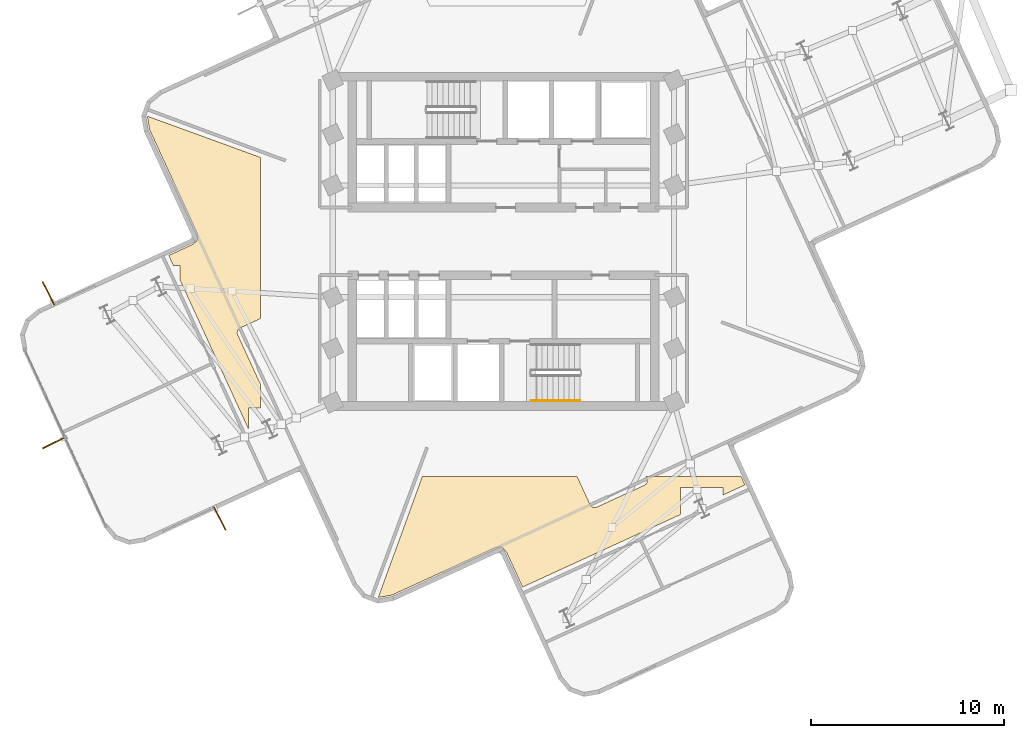
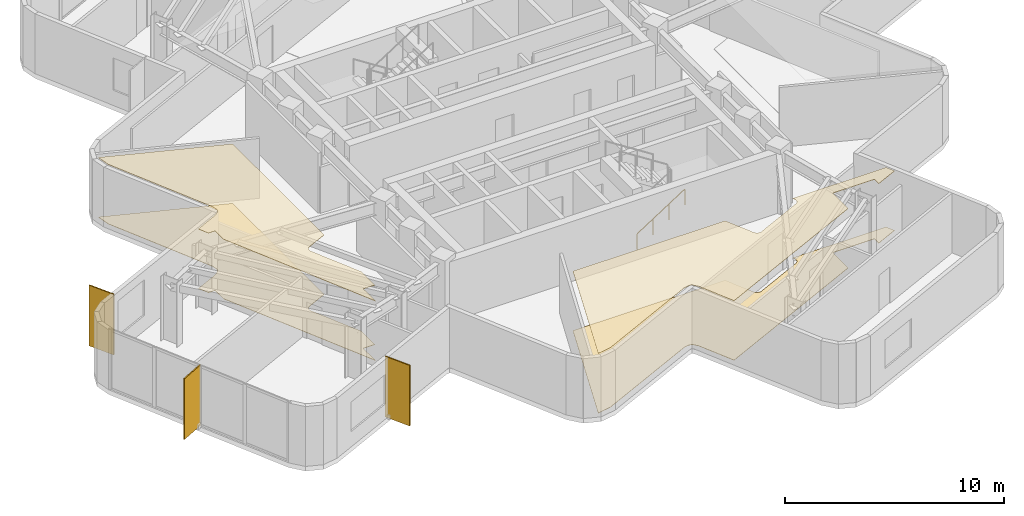
# One storey, part 9 of 11: 4 coverings, 3 shading devices, 1 railing.
"""IFC4 building model written with IfcOpenShell, lengths in metres."""

from ifc_helpers import new_model, si_unit, direction, frame, origin, origin_2d, place, context, subcontext, project, spatial, polyline, rectangle, circle, outline, extrude, material, layer, layer_set, type_object, element, save


model = new_model("IFC4")

# Units and contexts
model_context = context("Model", 3, precision=1e-05, world=origin(), true_north=direction((0.0, 1.0)))
body_context = subcontext(model_context, "Body", "Model", "MODEL_VIEW")
ifc_project = project(units=[si_unit("LENGTHUNIT", "METRE"), si_unit("AREAUNIT", "SQUARE_METRE"), si_unit("VOLUMEUNIT", "CUBIC_METRE"), si_unit("PLANEANGLEUNIT", "RADIAN"), si_unit("MASSUNIT", "GRAM", prefix="KILO")], contexts=[model_context])

# Site, building, storey
site_placement = place(None, origin())
site = spatial("IfcSite", under=ifc_project, at=site_placement, CompositionType="ELEMENT")
building_placement = place(site_placement, origin())
building = spatial("IfcBuilding", under=site, at=building_placement, Name="Solmarez Civic Tower", CompositionType="ELEMENT")
storey_placement = place(building_placement, frame((0.0, 0.0, 184.679931640625)))
storey = spatial("IfcBuildingStorey", under=building, at=storey_placement, Name="L49", CompositionType="ELEMENT", Elevation=184.679931640625)

# Coverings
ifc_material_1 = material(Name="Perforated Mineral-Fibre Acoustic Ceiling")
ifc_layer_1 = layer(ifc_material_1, 0.02490234375)
ifc_layer_set_1 = layer_set([ifc_layer_1], Name="Perforated Mineral-Fibre Acoustic Ceiling")
covering_type_1 = type_object("IfcCoveringType", Name="COV-CEIL-ACOUSTIC", PredefinedType="CEILING", material=ifc_layer_set_1)
covering_1_placement = place(storey_placement, frame((0.0, 0.0, 3.315185546875)))
element("IfcCovering", 1, at=covering_1_placement, inside=storey, type_object=covering_type_1, Name="L49 Suspended Acoustic Ceiling 1", PredefinedType="CEILING", context=body_context, shape_type="SweptSolid", body=[
    extrude(outline(polyline([(12.51611328125, -12.6279296875), (12.320068359375, -12.199951171875), (7.388916015625, -12.199951171875), (7.430908203125, -12.29296875), (7.43505859375, -12.302001953125), (7.443115234375, -12.322998046875), (7.448974609375, -12.345947265625), (7.452880859375, -12.368896484375), (7.4541015625, -12.37890625), (7.455078125, -12.40087890625), (7.455078125, -12.406005859375), (7.4541015625, -12.427978515625), (7.450927734375, -12.448974609375), (7.449951171875, -12.4541015625), (7.448974609375, -12.458984375), (7.447021484375, -12.468017578125), (7.44091796875, -12.489013671875), (7.43310546875, -12.509033203125), (7.428955078125, -12.51806640625), (7.41796875, -12.5400390625), (7.404052734375, -12.56103515625), (7.39794921875, -12.569091796875), (7.385009765625, -12.5849609375), (7.3701171875, -12.60009765625), (7.35400390625, -12.613037109375), (7.345947265625, -12.618896484375), (7.3310546875, -12.6298828125), (7.322998046875, -12.635009765625), (7.298095703125, -12.64794921875), (4.842041015625, -13.77587890625), (4.8330078125, -13.780029296875), (4.81103515625, -13.7890625), (4.787109375, -13.794921875), (4.781982421875, -13.7958984375), (4.760986328125, -13.799072265625), (4.739013671875, -13.800048828125), (4.72900390625, -13.800048828125), (4.70703125, -13.799072265625), (4.68603515625, -13.7958984375), (4.680908203125, -13.794921875), (4.676025390625, -13.7939453125), (4.6669921875, -13.7919921875), (4.64599609375, -13.785888671875), (4.6259765625, -13.778076171875), (4.616943359375, -13.77392578125), (4.594970703125, -13.762939453125), (4.570068359375, -13.74609375), (4.5458984375, -13.72607421875), (4.5390625, -13.718994140625), (4.51611328125, -13.69091796875), (4.5048828125, -13.676025390625), (4.5, -13.66796875), (4.487060546875, -13.64306640625), (3.823974609375, -12.199951171875), (-4.2080078125, -12.199951171875), (-6.485107421875, -18.4560546875), (-6.47900390625, -18.4580078125), (-5.781982421875, -18.339111328125), (-0.492919921875, -15.908935546875), (-0.47509765625, -15.90087890625), (-0.455078125, -15.89404296875), (-0.447998046875, -15.89208984375), (-0.4150390625, -15.885986328125), (-0.2490234375, -15.85693359375), (-0.239013671875, -15.85595703125), (-0.23095703125, -15.85498046875), (-0.2041015625, -15.85302734375), (-0.18896484375, -15.85302734375), (-0.162109375, -15.85498046875), (-0.154052734375, -15.85595703125), (-0.136962890625, -15.85791015625), (-0.12109375, -15.862060546875), (-0.114013671875, -15.864013671875), (-0.0869140625, -15.8740234375), (-0.080078125, -15.876953125), (-0.072998046875, -15.8798828125), (-0.051025390625, -15.89111328125), (-0.0439453125, -15.89501953125), (-0.028076171875, -15.905029296875), (-0.011962890625, -15.9169921875), (-0.006103515625, -15.922119140625), (0.009033203125, -15.93505859375), (0.013916015625, -15.93994140625), (0.02001953125, -15.946044921875), (0.033935546875, -15.9619140625), (0.14208984375, -16.093994140625), (0.14697265625, -16.09912109375), (0.156982421875, -16.113037109375), (0.1669921875, -16.126953125), (0.169921875, -16.132080078125), (0.18310546875, -16.157958984375), (0.18505859375, -16.1630859375), (0.993896484375, -17.922119140625), (9.18994140625, -14.156005859375), (9.18994140625, -12.75), (11.389892578125, -12.75), (11.389892578125, -13.14501953125), (12.51611328125, -12.6279296875)])), origin(), (0.0, 0.0, 1.0), 0.02490234375),
])
covering_2_placement = place(storey_placement, frame((0.0, 0.0, 3.315185546875)))
element("IfcCovering", 2, at=covering_2_placement, inside=storey, type_object=covering_type_1, Name="L49 Suspended Acoustic Ceiling 4", PredefinedType="CEILING", context=body_context, shape_type="SweptSolid", body=[
    extrude(outline(polyline([(-13.2060546875, -9.748046875), (-13.2060546875, -8.631103515625), (-12.60009765625, -8.631103515625), (-12.60009765625, -7.3701171875), (-12.613037109375, -7.35400390625), (-12.618896484375, -7.345947265625), (-12.6298828125, -7.3310546875), (-12.635009765625, -7.322998046875), (-12.64794921875, -7.298095703125), (-13.77587890625, -4.842041015625), (-13.780029296875, -4.8330078125), (-13.7890625, -4.81103515625), (-13.794921875, -4.787109375), (-13.7958984375, -4.781982421875), (-13.799072265625, -4.760986328125), (-13.800048828125, -4.739013671875), (-13.800048828125, -4.72900390625), (-13.799072265625, -4.70703125), (-13.7958984375, -4.68603515625), (-13.794921875, -4.680908203125), (-13.7939453125, -4.676025390625), (-13.7919921875, -4.6669921875), (-13.785888671875, -4.64599609375), (-13.778076171875, -4.6259765625), (-13.77392578125, -4.616943359375), (-13.762939453125, -4.594970703125), (-13.74609375, -4.570068359375), (-13.72607421875, -4.5458984375), (-13.718994140625, -4.5390625), (-13.69091796875, -4.51611328125), (-13.676025390625, -4.5048828125), (-13.66796875, -4.5), (-13.64306640625, -4.487060546875), (-12.60009765625, -4.007080078125), (-12.60009765625, 4.35400390625), (-18.4560546875, 6.485107421875), (-18.4580078125, 6.47900390625), (-18.339111328125, 5.781982421875), (-15.908935546875, 0.492919921875), (-15.90087890625, 0.47509765625), (-15.89404296875, 0.455078125), (-15.89208984375, 0.447998046875), (-15.885986328125, 0.4150390625), (-15.85693359375, 0.2490234375), (-15.85595703125, 0.239013671875), (-15.85498046875, 0.23095703125), (-15.85302734375, 0.2041015625), (-15.85302734375, 0.18896484375), (-15.85498046875, 0.162109375), (-15.85595703125, 0.154052734375), (-15.85791015625, 0.136962890625), (-15.862060546875, 0.12109375), (-15.864013671875, 0.114013671875), (-15.8740234375, 0.0869140625), (-15.876953125, 0.080078125), (-15.8798828125, 0.072998046875), (-15.89111328125, 0.051025390625), (-15.89501953125, 0.0439453125), (-15.905029296875, 0.028076171875), (-15.9169921875, 0.011962890625), (-15.922119140625, 0.006103515625), (-15.93505859375, -0.009033203125), (-15.93994140625, -0.013916015625), (-15.946044921875, -0.02001953125), (-15.9619140625, -0.033935546875), (-16.093994140625, -0.14208984375), (-16.09912109375, -0.14697265625), (-16.113037109375, -0.156982421875), (-16.126953125, -0.1669921875), (-16.132080078125, -0.169921875), (-16.157958984375, -0.18310546875), (-16.1630859375, -0.18505859375), (-17.34912109375, -0.73095703125), (-17.113037109375, -1.24609375), (-16.758056640625, -1.24609375), (-16.758056640625, -2.01806640625), (-13.2060546875, -9.748046875)])), origin(), (0.0, 0.0, 1.0), 0.02490234375),
])
ifc_material_2 = material(Name="Polished Tropical Stone Terrazzo Flooring", Category="masonry")
ifc_layer_2 = layer(ifc_material_2, 0.02001953125)
ifc_layer_set_2 = layer_set([ifc_layer_2], Name="Polished Tropical Stone Terrazzo Flooring")
covering_type_2 = type_object("IfcCoveringType", Name="COV-FLOOR-TERRAZZO", PredefinedType="FLOORING", material=ifc_layer_set_2)
covering_3_placement = place(storey_placement, origin())
element("IfcCovering", 3, at=covering_3_placement, inside=storey, type_object=covering_type_2, Name="L49 Terrazzo Floor Finish 1", PredefinedType="FLOORING", context=body_context, shape_type="SweptSolid", body=[
    extrude(outline(polyline([(12.51611328125, -12.6279296875), (12.320068359375, -12.199951171875), (7.388916015625, -12.199951171875), (7.430908203125, -12.29296875), (7.43505859375, -12.302001953125), (7.443115234375, -12.322998046875), (7.448974609375, -12.345947265625), (7.452880859375, -12.368896484375), (7.4541015625, -12.37890625), (7.455078125, -12.40087890625), (7.455078125, -12.406005859375), (7.4541015625, -12.427978515625), (7.450927734375, -12.448974609375), (7.449951171875, -12.4541015625), (7.448974609375, -12.458984375), (7.447021484375, -12.468017578125), (7.44091796875, -12.489013671875), (7.43310546875, -12.509033203125), (7.428955078125, -12.51806640625), (7.41796875, -12.5400390625), (7.404052734375, -12.56103515625), (7.39794921875, -12.569091796875), (7.385009765625, -12.5849609375), (7.3701171875, -12.60009765625), (7.35400390625, -12.613037109375), (7.345947265625, -12.618896484375), (7.3310546875, -12.6298828125), (7.322998046875, -12.635009765625), (7.298095703125, -12.64794921875), (4.842041015625, -13.77587890625), (4.8330078125, -13.780029296875), (4.81103515625, -13.7890625), (4.787109375, -13.794921875), (4.781982421875, -13.7958984375), (4.760986328125, -13.799072265625), (4.739013671875, -13.800048828125), (4.72900390625, -13.800048828125), (4.70703125, -13.799072265625), (4.68603515625, -13.7958984375), (4.680908203125, -13.794921875), (4.676025390625, -13.7939453125), (4.6669921875, -13.7919921875), (4.64599609375, -13.785888671875), (4.6259765625, -13.778076171875), (4.616943359375, -13.77392578125), (4.594970703125, -13.762939453125), (4.570068359375, -13.74609375), (4.5458984375, -13.72607421875), (4.5390625, -13.718994140625), (4.51611328125, -13.69091796875), (4.5048828125, -13.676025390625), (4.5, -13.66796875), (4.487060546875, -13.64306640625), (3.823974609375, -12.199951171875), (-4.2080078125, -12.199951171875), (-6.485107421875, -18.4560546875), (-6.47900390625, -18.4580078125), (-5.781982421875, -18.339111328125), (-0.492919921875, -15.908935546875), (-0.47509765625, -15.90087890625), (-0.455078125, -15.89404296875), (-0.447998046875, -15.89208984375), (-0.4150390625, -15.885986328125), (-0.2490234375, -15.85693359375), (-0.239013671875, -15.85595703125), (-0.23095703125, -15.85498046875), (-0.2041015625, -15.85302734375), (-0.18896484375, -15.85302734375), (-0.162109375, -15.85498046875), (-0.154052734375, -15.85595703125), (-0.136962890625, -15.85791015625), (-0.12109375, -15.862060546875), (-0.114013671875, -15.864013671875), (-0.0869140625, -15.8740234375), (-0.080078125, -15.876953125), (-0.072998046875, -15.8798828125), (-0.051025390625, -15.89111328125), (-0.0439453125, -15.89501953125), (-0.028076171875, -15.905029296875), (-0.011962890625, -15.9169921875), (-0.006103515625, -15.922119140625), (0.009033203125, -15.93505859375), (0.013916015625, -15.93994140625), (0.02001953125, -15.946044921875), (0.033935546875, -15.9619140625), (0.14208984375, -16.093994140625), (0.14697265625, -16.09912109375), (0.156982421875, -16.113037109375), (0.1669921875, -16.126953125), (0.169921875, -16.132080078125), (0.18310546875, -16.157958984375), (0.18505859375, -16.1630859375), (0.993896484375, -17.922119140625), (9.18994140625, -14.156005859375), (9.18994140625, -12.75), (11.389892578125, -12.75), (11.389892578125, -13.14501953125), (12.51611328125, -12.6279296875)])), origin(), (0.0, 0.0, 1.0), 0.02001953125),
])
covering_4_placement = place(storey_placement, origin())
element("IfcCovering", 4, at=covering_4_placement, inside=storey, type_object=covering_type_2, Name="L49 Terrazzo Floor Finish 4", PredefinedType="FLOORING", context=body_context, shape_type="SweptSolid", body=[
    extrude(outline(polyline([(-13.2060546875, -9.748046875), (-13.2060546875, -8.631103515625), (-12.60009765625, -8.631103515625), (-12.60009765625, -7.3701171875), (-12.613037109375, -7.35400390625), (-12.618896484375, -7.345947265625), (-12.6298828125, -7.3310546875), (-12.635009765625, -7.322998046875), (-12.64794921875, -7.298095703125), (-13.77587890625, -4.842041015625), (-13.780029296875, -4.8330078125), (-13.7890625, -4.81103515625), (-13.794921875, -4.787109375), (-13.7958984375, -4.781982421875), (-13.799072265625, -4.760986328125), (-13.800048828125, -4.739013671875), (-13.800048828125, -4.72900390625), (-13.799072265625, -4.70703125), (-13.7958984375, -4.68603515625), (-13.794921875, -4.680908203125), (-13.7939453125, -4.676025390625), (-13.7919921875, -4.6669921875), (-13.785888671875, -4.64599609375), (-13.778076171875, -4.6259765625), (-13.77392578125, -4.616943359375), (-13.762939453125, -4.594970703125), (-13.74609375, -4.570068359375), (-13.72607421875, -4.5458984375), (-13.718994140625, -4.5390625), (-13.69091796875, -4.51611328125), (-13.676025390625, -4.5048828125), (-13.66796875, -4.5), (-13.64306640625, -4.487060546875), (-12.60009765625, -4.007080078125), (-12.60009765625, 4.35400390625), (-18.4560546875, 6.485107421875), (-18.4580078125, 6.47900390625), (-18.339111328125, 5.781982421875), (-15.908935546875, 0.492919921875), (-15.90087890625, 0.47509765625), (-15.89404296875, 0.455078125), (-15.89208984375, 0.447998046875), (-15.885986328125, 0.4150390625), (-15.85693359375, 0.2490234375), (-15.85595703125, 0.239013671875), (-15.85498046875, 0.23095703125), (-15.85302734375, 0.2041015625), (-15.85302734375, 0.18896484375), (-15.85498046875, 0.162109375), (-15.85595703125, 0.154052734375), (-15.85791015625, 0.136962890625), (-15.862060546875, 0.12109375), (-15.864013671875, 0.114013671875), (-15.8740234375, 0.0869140625), (-15.876953125, 0.080078125), (-15.8798828125, 0.072998046875), (-15.89111328125, 0.051025390625), (-15.89501953125, 0.0439453125), (-15.905029296875, 0.028076171875), (-15.9169921875, 0.011962890625), (-15.922119140625, 0.006103515625), (-15.93505859375, -0.009033203125), (-15.93994140625, -0.013916015625), (-15.946044921875, -0.02001953125), (-15.9619140625, -0.033935546875), (-16.093994140625, -0.14208984375), (-16.09912109375, -0.14697265625), (-16.113037109375, -0.156982421875), (-16.126953125, -0.1669921875), (-16.132080078125, -0.169921875), (-16.157958984375, -0.18310546875), (-16.1630859375, -0.18505859375), (-17.34912109375, -0.73095703125), (-17.113037109375, -1.24609375), (-16.758056640625, -1.24609375), (-16.758056640625, -2.01806640625), (-13.2060546875, -9.748046875)])), origin(), (0.0, 0.0, 1.0), 0.02001953125),
])

# Shading devices
ifc_material_3 = material(Name="Bronze Anodised Aluminium EN AW-6063 T6", Category="aluminium")
ifc_layer_3 = layer(ifc_material_3, 0.06005859375)
ifc_layer_set_3 = layer_set([ifc_layer_3], Name="Bronze Anodised Aluminium EN AW-6063 T6")
shading_device_type = type_object("IfcShadingDeviceType", Name="FIN-BRONZE-Z34", PredefinedType="USERDEFINED", material=ifc_layer_set_3)
for number, where, z_axis, x_axis, name in (
    (5, (-14.705078125, -14.366943359375, -0.039794921875), (0.0, 0.0, 1.0), (0.45002051221, -0.89301821851, 0.0), "L49 Anodised Bronze Solar Fin FIN-L49-01"),
    (6, (-23.283935546875, -10.43505859375, -0.039794921875), (0.0, 0.0, 1.0), (-0.893010364034, -0.45003609825, 0.0), "L49 Anodised Bronze Solar Fin FIN-L49-02"),
    (7, (-23.587890625, -2.699951171875, -0.039794921875), (0.0, 0.0, 1.0), (-0.45002051221, 0.89301821851, 0.0), "L49 Anodised Bronze Solar Fin FIN-L49-03"),
):
    element("IfcShadingDevice", number, at=place(storey_placement, frame(where, z_axis=z_axis, x_axis=x_axis)), inside=storey, type_object=shading_device_type, Name=name, ObjectType="FIN", PredefinedType="USERDEFINED", context=body_context, shape_type="SweptSolid", body=[
        extrude(rectangle(XDim=1.35009765625, YDim=0.06005859375, at=origin_2d()), origin(), (0.0, 0.0, 1.0), 3.3798828125),
    ])

# Railing
ifc_material_4 = material(Name="Brushed Stainless Steel Tube Handrail", Category="steel")
railing_type = type_object("IfcRailingType", Name="HANDRAIL-STAIR-900", PredefinedType="HANDRAIL", material=ifc_material_4)
railing_placement = place(storey_placement, frame((1.449951171875, -8.27001953125, 0.18017578125)))
element("IfcRailing", 8, at=railing_placement, inside=storey, type_object=railing_type, Name="L49 ST-2 stair handrail 1", PredefinedType="HANDRAIL", context=body_context, shape_type="SweptSolid", body=[
    extrude(circle(Radius=0.02392578125, at=origin_2d()), frame((0.0, 0.0, 0.8759765625), z_axis=(0.841199657755, 0.0, 0.540724639528), x_axis=(0.0, 1.0, 0.0)), (0.0, 0.0, 1.0), 2.995849609375),
    extrude(circle(Radius=0.02099609375, at=origin_2d()), origin(), (0.0, 0.0, 1.0), 0.851806640625),
    extrude(circle(Radius=0.02099609375, at=origin_2d()), frame((0.840087890625, 0.0, 0.5400390625)), (0.0, 0.0, 1.0), 0.851806640625),
    extrude(circle(Radius=0.02099609375, at=origin_2d()), frame((1.679931640625, 0.0, 1.079833984375)), (0.0, 0.0, 1.0), 0.851806640625),
    extrude(circle(Radius=0.02099609375, at=origin_2d()), frame((2.52001953125, 0.0, 1.619873046875)), (0.0, 0.0, 1.0), 0.851806640625),
])

save(model, "model.ifc")
